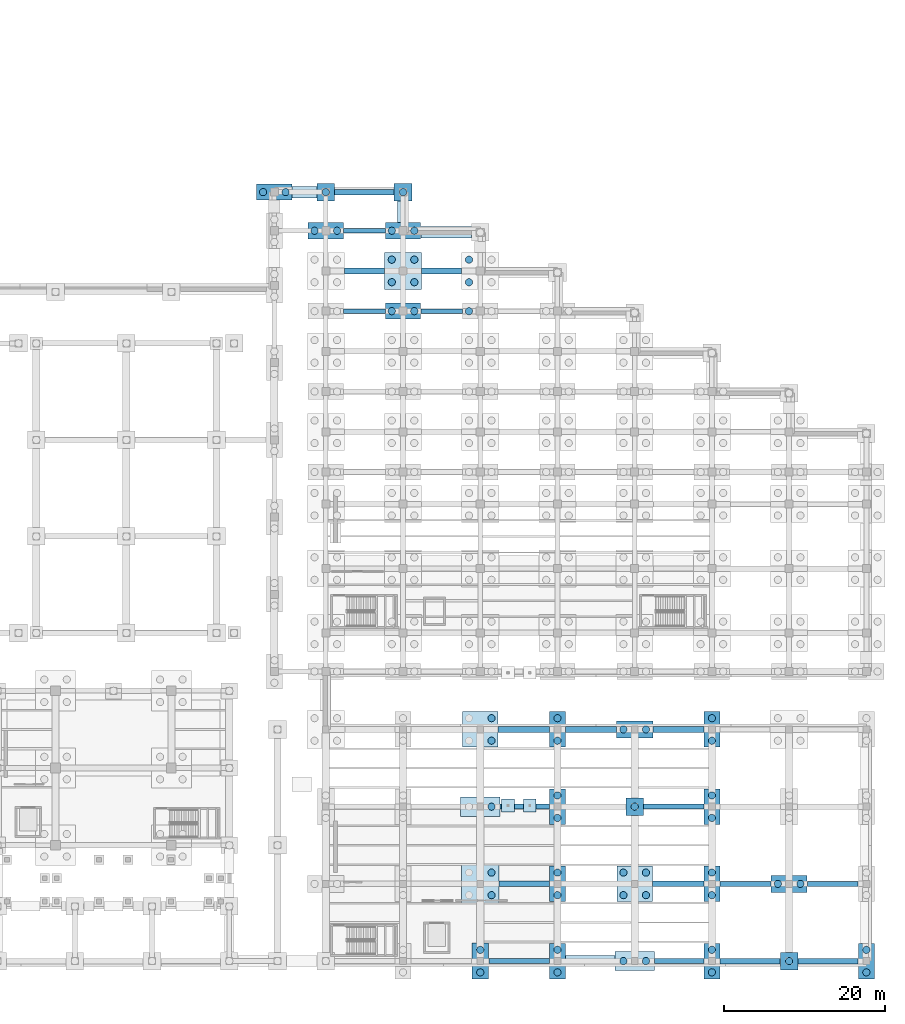
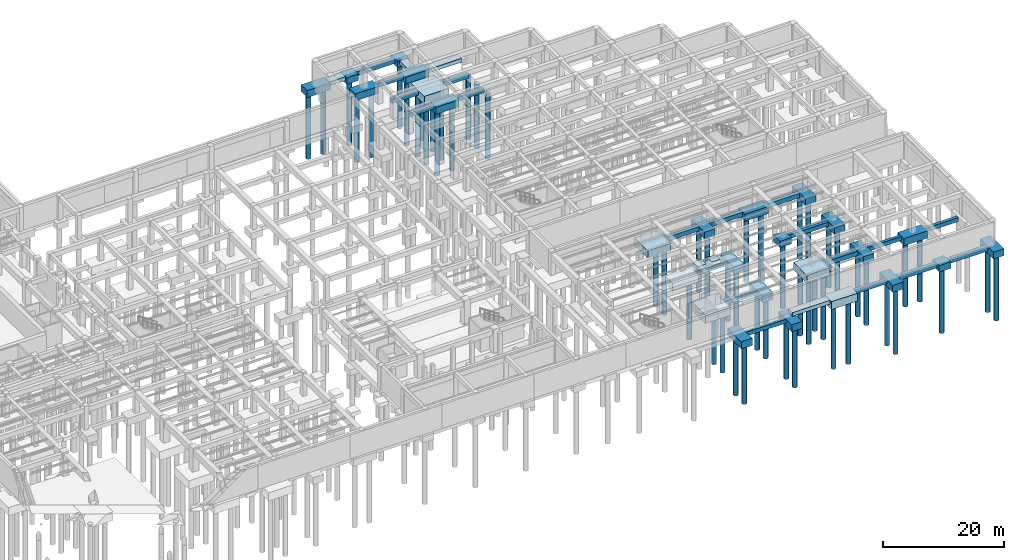
# One storey, part 8 of 56: 54 piles, 51 footings.
"""IFC4 building model written with IfcOpenShell, lengths in metres."""

from ifc_helpers import new_model, si_unit, direction, frame, origin, origin_2d, place, context, subcontext, project, spatial, rectangle, circle, extrude, material, material_profile, profile_set, type_object, element, save


model = new_model("IFC4")

# Units and contexts
model_context = context("Model", 3, precision=1e-05, world=origin(), true_north=direction((0.0, 1.0)))
body_context = subcontext(model_context, "Body", "Model", "MODEL_VIEW")
ifc_project = project(units=[si_unit("LENGTHUNIT", "METRE"), si_unit("AREAUNIT", "SQUARE_METRE"), si_unit("VOLUMEUNIT", "CUBIC_METRE"), si_unit("PLANEANGLEUNIT", "RADIAN"), si_unit("MASSUNIT", "GRAM", prefix="KILO")], contexts=[model_context])

# Site, building, storey
site_placement = place(None, origin())
site = spatial("IfcSite", under=ifc_project, at=site_placement, CompositionType="ELEMENT")
building_placement = place(site_placement, origin())
building = spatial("IfcBuilding", under=site, at=building_placement, Name="Mavantir Sound Aquarium", CompositionType="ELEMENT")
storey_placement = place(building_placement, frame((0.0, 0.0, -9.60009765625)))
storey = spatial("IfcBuildingStorey", under=building, at=storey_placement, Name="B2", CompositionType="ELEMENT", Elevation=-9.60009765625)

# Footings
ifc_material_1 = material(Name="Concrete C40/50", Category="concrete")
ifc_material_profile_1 = material_profile(ifc_material_1, rectangle(XDim=0.60009765625, YDim=0.800048828125, at=origin_2d()), Name="RC 600X800")
ifc_profile_set_1 = profile_set([ifc_material_profile_1], Name="Concrete C40/50")
footing_type_1 = type_object("IfcFootingType", Name="FB-01", PredefinedType="FOOTING_BEAM", material=ifc_profile_set_1)
for number, where, z_axis, x_axis, name in (
    (1, (110.2080078125, 80.800048828125, -0.39990234375), (1.0, 0.0, 0.0), (0.0, 1.0, 0.0), "Foundation tie beam FB-01 93"),
    (2, (110.2080078125, 90.800048828125, -0.39990234375), (1.0, 0.0, 0.0), (0.0, 1.0, 0.0), "Foundation tie beam FB-01 95"),
):
    element("IfcFooting", number, at=place(storey_placement, frame(where, z_axis=z_axis, x_axis=x_axis)), inside=storey, type_object=footing_type_1, Name=name, PredefinedType="FOOTING_BEAM", context=body_context, shape_type="SweptSolid", body=[
        extrude(rectangle(XDim=0.60009765625, YDim=0.800048828125, at=origin_2d()), origin(), (0.0, 0.0, 1.0), 5.18408203125),
    ])
footing_1_placement = place(storey_placement, frame((119.80810546875, 80.800048828125, -0.39990234375), z_axis=(1.0, 0.0, 0.0), x_axis=(0.0, 1.0, 0.0)))
element("IfcFooting", 3, at=footing_1_placement, inside=storey, type_object=footing_type_1, Name="Foundation tie beam FB-01 109", PredefinedType="FOOTING_BEAM", context=body_context, shape_type="SweptSolid", body=[
    extrude(rectangle(XDim=0.60009765625, YDim=0.800048828125, at=origin_2d()), origin(), (0.0, 0.0, 1.0), 5.183837890625),
])
footing_2_placement = place(storey_placement, frame((128.258056640625, 0.0, -1.599853515625), z_axis=(1.0, 0.0, 0.0), x_axis=(0.0, 1.0, 0.0)))
element("IfcFooting", 4, at=footing_2_placement, inside=storey, type_object=footing_type_1, Name="Foundation tie beam FB-01 111", PredefinedType="FOOTING_BEAM", context=body_context, shape_type="SweptSolid", body=[
    extrude(rectangle(XDim=0.60009765625, YDim=0.800048828125, at=origin_2d()), origin(), (0.0, 0.0, 1.0), 7.533935546875),
])
for number, where, z_axis, x_axis, name in (
    (5, (129.657958984375, 19.199951171875, -1.599853515625), (1.0, 0.0, 0.0), (0.0, 1.0, 0.0), "Foundation tie beam FB-01 113"),
    (6, (148.85791015625, 0.0, -0.39990234375), (1.0, 0.0, 0.0), (0.0, 1.0, 0.0), "Foundation tie beam FB-01 133"),
):
    element("IfcFooting", number, at=place(storey_placement, frame(where, z_axis=z_axis, x_axis=x_axis)), inside=storey, type_object=footing_type_1, Name=name, PredefinedType="FOOTING_BEAM", context=body_context, shape_type="SweptSolid", body=[
        extrude(rectangle(XDim=0.60009765625, YDim=0.800048828125, at=origin_2d()), origin(), (0.0, 0.0, 1.0), 6.134033203125),
    ])
footing_3_placement = place(storey_placement, frame((147.508056640625, 19.199951171875, -0.39990234375), z_axis=(1.0, 0.0, 0.0), x_axis=(0.0, 1.0, 0.0)))
element("IfcFooting", 7, at=footing_3_placement, inside=storey, type_object=footing_type_1, Name="Foundation tie beam FB-01 135", PredefinedType="FOOTING_BEAM", context=body_context, shape_type="SweptSolid", body=[
    extrude(rectangle(XDim=0.60009765625, YDim=0.800048828125, at=origin_2d()), origin(), (0.0, 0.0, 1.0), 7.48388671875),
])
for number, where, z_axis, x_axis, name in (
    (8, (157.008056640625, 9.60009765625, -0.39990234375), (1.0, 0.0, 0.0), (0.0, 1.0, 0.0), "Foundation tie beam FB-01 145"),
    (9, (167.85791015625, 9.60009765625, -0.39990234375), (1.0, 0.0, 0.0), (0.0, 1.0, 0.0), "Foundation tie beam FB-01 153"),
):
    element("IfcFooting", number, at=place(storey_placement, frame(where, z_axis=z_axis, x_axis=x_axis)), inside=storey, type_object=footing_type_1, Name=name, PredefinedType="FOOTING_BEAM", context=body_context, shape_type="SweptSolid", body=[
        extrude(rectangle(XDim=0.60009765625, YDim=0.800048828125, at=origin_2d()), origin(), (0.0, 0.0, 1.0), 6.333984375),
    ])
ifc_material_profile_2 = material_profile(ifc_material_1, rectangle(XDim=0.699951171875, YDim=0.89990234375, at=origin_2d()), Name="RC 700X900")
ifc_profile_set_2 = profile_set([ifc_material_profile_2], Name="Concrete C40/50")
footing_type_2 = type_object("IfcFootingType", Name="FB-02", PredefinedType="FOOTING_BEAM", material=ifc_profile_set_2)
footing_4_placement = place(storey_placement, frame((110.30810546875, 85.800048828125, -0.449951171875), z_axis=(1.0, 0.0, 0.0), x_axis=(0.0, 1.0, 0.0)))
element("IfcFooting", 10, at=footing_4_placement, inside=storey, type_object=footing_type_2, Name="Foundation tie beam FB-02 94", PredefinedType="FOOTING_BEAM", context=body_context, shape_type="SweptSolid", body=[
    extrude(rectangle(XDim=0.699951171875, YDim=0.89990234375, at=origin_2d()), origin(), (0.0, 0.0, 1.0), 4.98388671875),
])
footing_5_placement = place(storey_placement, frame((109.10791015625, 95.60009765625, -0.449951171875), z_axis=(1.0, 0.0, 0.0), x_axis=(0.0, 1.0, 0.0)))
element("IfcFooting", 11, at=footing_5_placement, inside=storey, type_object=footing_type_2, Name="Foundation tie beam FB-02 96", PredefinedType="FOOTING_BEAM", context=body_context, shape_type="SweptSolid", body=[
    extrude(rectangle(XDim=0.699951171875, YDim=0.89990234375, at=origin_2d()), origin(), (0.0, 0.0, 1.0), 7.384033203125),
])
footing_6_placement = place(storey_placement, frame((119.89990234375, 85.800048828125, -0.449951171875), z_axis=(1.0, 0.0, 0.0), x_axis=(0.0, 1.0, 0.0)))
element("IfcFooting", 12, at=footing_6_placement, inside=storey, type_object=footing_type_2, Name="Foundation tie beam FB-02 110", PredefinedType="FOOTING_BEAM", context=body_context, shape_type="SweptSolid", body=[
    extrude(rectangle(XDim=0.699951171875, YDim=0.89990234375, at=origin_2d()), origin(), (0.0, 0.0, 1.0), 4.9921875),
])
footing_7_placement = place(storey_placement, frame((129.55810546875, 9.60009765625, -1.64990234375), z_axis=(1.0, 0.0, 0.0), x_axis=(0.0, 1.0, 0.0)))
element("IfcFooting", 13, at=footing_7_placement, inside=storey, type_object=footing_type_2, Name="Foundation tie beam FB-02 112", PredefinedType="FOOTING_BEAM", context=body_context, shape_type="SweptSolid", body=[
    extrude(rectangle(XDim=0.699951171875, YDim=0.89990234375, at=origin_2d()), origin(), (0.0, 0.0, 1.0), 6.23388671875),
])
footing_8_placement = place(storey_placement, frame((129.407958984375, 28.800048828125, -0.449951171875), z_axis=(1.0, 0.0, 0.0), x_axis=(0.0, 1.0, 0.0)))
element("IfcFooting", 14, at=footing_8_placement, inside=storey, type_object=footing_type_2, Name="Foundation tie beam FB-02 114", PredefinedType="FOOTING_BEAM", context=body_context, shape_type="SweptSolid", body=[
    extrude(rectangle(XDim=0.699951171875, YDim=0.89990234375, at=origin_2d()), origin(), (0.0, 0.0, 1.0), 6.384033203125),
])
footing_9_placement = place(storey_placement, frame((137.80810546875, 28.800048828125, -0.449951171875), z_axis=(1.0, 0.0, 0.0), x_axis=(0.0, 1.0, 0.0)))
element("IfcFooting", 15, at=footing_9_placement, inside=storey, type_object=footing_type_2, Name="Foundation tie beam FB-02 124", PredefinedType="FOOTING_BEAM", context=body_context, shape_type="SweptSolid", body=[
    extrude(rectangle(XDim=0.699951171875, YDim=0.89990234375, at=origin_2d()), origin(), (0.0, 0.0, 1.0), 6.333984375),
])
footing_10_placement = place(storey_placement, frame((148.60791015625, 9.60009765625, -0.449951171875), z_axis=(1.0, 0.0, 0.0), x_axis=(0.0, 1.0, 0.0)))
element("IfcFooting", 16, at=footing_10_placement, inside=storey, type_object=footing_type_2, Name="Foundation tie beam FB-02 134", PredefinedType="FOOTING_BEAM", context=body_context, shape_type="SweptSolid", body=[
    extrude(rectangle(XDim=0.699951171875, YDim=0.89990234375, at=origin_2d()), origin(), (0.0, 0.0, 1.0), 6.384033203125),
])
footing_11_placement = place(storey_placement, frame((148.657958984375, 28.800048828125, -0.449951171875), z_axis=(1.0, 0.0, 0.0), x_axis=(0.0, 1.0, 0.0)))
element("IfcFooting", 17, at=footing_11_placement, inside=storey, type_object=footing_type_2, Name="Foundation tie beam FB-02 136", PredefinedType="FOOTING_BEAM", context=body_context, shape_type="SweptSolid", body=[
    extrude(rectangle(XDim=0.699951171875, YDim=0.89990234375, at=origin_2d()), origin(), (0.0, 0.0, 1.0), 6.333984375),
])
for number, where, z_axis, x_axis, name in (
    (18, (157.008056640625, 0.0, -0.449951171875), (1.0, 0.0, 0.0), (0.0, 1.0, 0.0), "Foundation tie beam FB-02 144"),
    (19, (166.7080078125, 0.0, -0.449951171875), (1.0, 0.0, 0.0), (0.0, 1.0, 0.0), "Foundation tie beam FB-02 152"),
):
    element("IfcFooting", number, at=place(storey_placement, frame(where, z_axis=z_axis, x_axis=x_axis)), inside=storey, type_object=footing_type_2, Name=name, PredefinedType="FOOTING_BEAM", context=body_context, shape_type="SweptSolid", body=[
        extrude(rectangle(XDim=0.699951171875, YDim=0.89990234375, at=origin_2d()), origin(), (0.0, 0.0, 1.0), 7.48388671875),
    ])
footing_type_3 = type_object("IfcFootingType", Name="PC-01", PredefinedType="PILE_CAP", material=ifc_material_1)
footing_12_placement = place(storey_placement, frame((117.60009765625, 85.800048828125, -1.599853515625), z_axis=(0.0, 0.0, 1.0), x_axis=(1.0, 0.0, 0.0)))
element("IfcFooting", 20, at=footing_12_placement, inside=storey, type_object=footing_type_3, Name="Pile cap PC-01 79", PredefinedType="PILE_CAP", context=body_context, shape_type="SweptSolid", body=[
    extrude(rectangle(XDim=4.60009765625, YDim=4.60009765625, at=origin_2d()), origin(), (0.0, 0.0, 1.0), 1.60009765625),
])
footing_type_4 = type_object("IfcFootingType", Name="PC-02", PredefinedType="PILE_CAP", material=ifc_material_1)
for number, where, z_axis, x_axis, name in (
    (21, (127.199951171875, 28.800048828125, -1.5), (0.0, 0.0, 1.0), (1.0, 0.0, 0.0), "Pile cap PC-02 169"),
    (22, (146.39990234375, 9.60009765625, -1.5), (0.0, 0.0, 1.0), (1.0, 0.0, 0.0), "Pile cap PC-02 175"),
):
    element("IfcFooting", number, at=place(storey_placement, frame(where, z_axis=z_axis, x_axis=x_axis)), inside=storey, type_object=footing_type_4, Name=name, PredefinedType="PILE_CAP", context=body_context, shape_type="SweptSolid", body=[
        extrude(rectangle(XDim=4.39990234375, YDim=4.39990234375, at=origin_2d()), origin(), (0.0, 0.0, 1.0), 1.5),
    ])
footing_type_5 = type_object("IfcFootingType", Name="PC-03", PredefinedType="PILE_CAP", material=ifc_material_1)
for number, where, z_axis, x_axis, name in (
    (23, (101.60009765625, 95.60009765625, -1.39990234375), (0.0, 0.0, 1.0), (1.0, 0.0, 0.0), "Pile cap PC-03 57"),
    (24, (108.0, 90.800048828125, -1.39990234375), (0.0, 0.0, 1.0), (1.0, 0.0, 0.0), "Pile cap PC-03 68"),
    (25, (117.60009765625, 80.800048828125, -1.39990234375), (0.0, 0.0, 1.0), (1.0, 0.0, 0.0), "Pile cap PC-03 78"),
    (26, (117.60009765625, 90.800048828125, -1.39990234375), (0.0, 0.0, 1.0), (1.0, 0.0, 0.0), "Pile cap PC-03 80"),
):
    element("IfcFooting", number, at=place(storey_placement, frame(where, z_axis=z_axis, x_axis=x_axis)), inside=storey, type_object=footing_type_5, Name=name, PredefinedType="PILE_CAP", context=body_context, shape_type="SweptSolid", body=[
        extrude(rectangle(XDim=4.39990234375, YDim=2.0, at=origin_2d()), origin(), (0.0, 0.0, 1.0), 1.39990234375),
    ])
footing_type_6 = type_object("IfcFootingType", Name="PC-04", PredefinedType="PILE_CAP", material=ifc_material_1)
for number, where, z_axis, x_axis, name in (
    (27, (136.800048828125, 0.0, -2.599853515625), (0.0, 0.0, 1.0), (1.0, 0.0, 0.0), "Pile cap PC-04 170"),
    (28, (136.800048828125, 9.60009765625, -2.599853515625), (0.0, 0.0, 1.0), (1.0, 0.0, 0.0), "Pile cap PC-04 171"),
    (29, (136.800048828125, 19.199951171875, -2.599853515625), (0.0, 0.0, 1.0), (1.0, 0.0, 0.0), "Pile cap PC-04 172"),
    (30, (136.800048828125, 28.800048828125, -1.39990234375), (0.0, 0.0, 1.0), (1.0, 0.0, 0.0), "Pile cap PC-04 173"),
    (31, (156.0, 0.0, -1.39990234375), (0.0, 0.0, 1.0), (1.0, 0.0, 0.0), "Pile cap PC-04 178"),
    (32, (156.0, 9.60009765625, -1.39990234375), (0.0, 0.0, 1.0), (1.0, 0.0, 0.0), "Pile cap PC-04 179"),
    (33, (156.0, 19.199951171875, -1.39990234375), (0.0, 0.0, 1.0), (1.0, 0.0, 0.0), "Pile cap PC-04 180"),
    (34, (156.0, 28.800048828125, -1.39990234375), (0.0, 0.0, 1.0), (1.0, 0.0, 0.0), "Pile cap PC-04 181"),
    (35, (175.199951171875, 0.0, -1.39990234375), (0.0, 0.0, 1.0), (1.0, 0.0, 0.0), "Pile cap PC-04 186"),
):
    element("IfcFooting", number, at=place(storey_placement, frame(where, z_axis=z_axis, x_axis=x_axis)), inside=storey, type_object=footing_type_6, Name=name, PredefinedType="PILE_CAP", context=body_context, shape_type="SweptSolid", body=[
        extrude(rectangle(XDim=2.0, YDim=4.39990234375, at=origin_2d()), origin(), (0.0, 0.0, 1.0), 1.39990234375),
    ])
footing_type_7 = type_object("IfcFootingType", Name="PC-08", PredefinedType="PILE_CAP", material=ifc_material_1)
for number, where, z_axis, x_axis, name in (
    (36, (108.0, 95.60009765625, -1.2998046875), (0.0, 0.0, 1.0), (1.0, 0.0, 0.0), "Pile cap PC-08 69"),
    (37, (117.60009765625, 95.60009765625, -1.2998046875), (0.0, 0.0, 1.0), (1.0, 0.0, 0.0), "Pile cap PC-08 81"),
    (38, (146.39990234375, 19.199951171875, -1.2998046875), (0.0, 0.0, 1.0), (1.0, 0.0, 0.0), "Pile cap PC-08 176"),
    (39, (165.60009765625, 0.0, -1.2998046875), (0.0, 0.0, 1.0), (1.0, 0.0, 0.0), "Pile cap PC-08 182"),
):
    element("IfcFooting", number, at=place(storey_placement, frame(where, z_axis=z_axis, x_axis=x_axis)), inside=storey, type_object=footing_type_7, Name=name, PredefinedType="PILE_CAP", context=body_context, shape_type="SweptSolid", body=[
        extrude(rectangle(XDim=2.199951171875, YDim=2.199951171875, at=origin_2d()), origin(), (0.0, 0.0, 1.0), 1.300048828125),
    ])
footing_type_8 = type_object("IfcFootingType", Name="PC-09", PredefinedType="PILE_CAP", material=ifc_material_1)
for number, where, z_axis, x_axis, name in (
    (40, (146.39990234375, 28.800048828125, -1.44970703125), (0.0, 0.0, 1.0), (1.0, 0.0, 0.0), "Pile cap PC-09 177"),
    (41, (165.60009765625, 9.60009765625, -1.44970703125), (0.0, 0.0, 1.0), (1.0, 0.0, 0.0), "Pile cap PC-09 183"),
):
    element("IfcFooting", number, at=place(storey_placement, frame(where, z_axis=z_axis, x_axis=x_axis)), inside=storey, type_object=footing_type_8, Name=name, PredefinedType="PILE_CAP", context=body_context, shape_type="SweptSolid", body=[
        extrude(rectangle(XDim=4.5, YDim=2.10009765625, at=origin_2d()), origin(), (0.0, 0.0, 1.0), 1.449951171875),
    ])
footing_type_9 = type_object("IfcFootingType", Name="PC-10", PredefinedType="PILE_CAP", material=ifc_material_1)
footing_13_placement = place(storey_placement, frame((127.199951171875, 0.0, -2.64990234375), z_axis=(0.0, 0.0, 1.0), x_axis=(1.0, 0.0, 0.0)))
element("IfcFooting", 42, at=footing_13_placement, inside=storey, type_object=footing_type_9, Name="Pile cap PC-10 166", PredefinedType="PILE_CAP", context=body_context, shape_type="SweptSolid", body=[
    extrude(rectangle(XDim=2.10009765625, YDim=4.5, at=origin_2d()), origin(), (0.0, 0.0, 1.0), 1.449951171875),
])
footing_type_10 = type_object("IfcFootingType", Name="PC-11", PredefinedType="PILE_CAP", material=ifc_material_1)
footing_14_placement = place(storey_placement, frame((127.199951171875, 9.60009765625, -2.849853515625), z_axis=(0.0, 0.0, 1.0), x_axis=(1.0, 0.0, 0.0)))
element("IfcFooting", 43, at=footing_14_placement, inside=storey, type_object=footing_type_10, Name="Pile cap PC-11 167", PredefinedType="PILE_CAP", context=body_context, shape_type="SweptSolid", body=[
    extrude(rectangle(XDim=4.699951171875, YDim=4.699951171875, at=origin_2d()), origin(), (0.0, 0.0, 1.0), 1.64990234375),
])
ifc_material_2 = material(Name="Concrete C45/55", Category="concrete")
footing_type_11 = type_object("IfcFootingType", Name="PC-12", PredefinedType="PILE_CAP", material=ifc_material_2)
for number, where, z_axis, x_axis, name in (
    (44, (127.199951171875, 19.199951171875, -2.800048828125), (0.0, 0.0, 1.0), (1.0, 0.0, 0.0), "Pile cap PC-12 168"),
    (45, (146.39990234375, 0.0, -1.599853515625), (0.0, 0.0, 1.0), (1.0, 0.0, 0.0), "Pile cap PC-12 174"),
):
    element("IfcFooting", number, at=place(storey_placement, frame(where, z_axis=z_axis, x_axis=x_axis)), inside=storey, type_object=footing_type_11, Name=name, PredefinedType="PILE_CAP", context=body_context, shape_type="SweptSolid", body=[
        extrude(rectangle(XDim=4.89990234375, YDim=2.39990234375, at=origin_2d()), origin(), (0.0, 0.0, 1.0), 1.60009765625),
    ])
footing_type_12 = type_object("IfcFootingType", Name="PF-04", PredefinedType="PAD_FOOTING", material=ifc_material_1)
for number, where, z_axis, x_axis, name in (
    (46, (130.64990234375, 19.35009765625, -0.69970703125), (0.0, 0.0, 1.0), (1.0, 0.0, 0.0), "Bridge pier footing 4.1"),
    (47, (133.35009765625, 19.35009765625, -0.69970703125), (0.0, 0.0, 1.0), (1.0, 0.0, 0.0), "Bridge pier footing 4.3"),
):
    element("IfcFooting", number, at=place(storey_placement, frame(where, z_axis=z_axis, x_axis=x_axis)), inside=storey, type_object=footing_type_12, Name=name, PredefinedType="PAD_FOOTING", context=body_context, shape_type="SweptSolid", body=[
        extrude(rectangle(XDim=1.60009765625, YDim=1.60009765625, at=origin_2d()), origin(), (0.0, 0.0, 1.0), 0.699951171875),
    ])

# Piles
ifc_material_profile_3 = material_profile(ifc_material_1, circle(Radius=0.449951171875, at=origin_2d()), Name="PILE D900")
ifc_profile_set_3 = profile_set([ifc_material_profile_3], Name="Concrete C40/50")
pile_type = type_object("IfcPileType", Name="PILE-D900", PredefinedType="BORED", material=ifc_profile_set_3)
for number, where, z_axis, x_axis, name in (
    (48, (100.199951171875, 95.60009765625, -1.2998046875), (0.0, 0.0, -1.0), (1.0, 0.0, 0.0), "Bored pile P-900 223"),
    (49, (103.0, 95.60009765625, -1.2998046875), (0.0, 0.0, -1.0), (1.0, 0.0, 0.0), "Bored pile P-900 224"),
    (50, (106.60009765625, 90.800048828125, -1.2998046875), (0.0, 0.0, -1.0), (1.0, 0.0, 0.0), "Bored pile P-900 257"),
    (51, (109.39990234375, 90.800048828125, -1.2998046875), (0.0, 0.0, -1.0), (1.0, 0.0, 0.0), "Bored pile P-900 258"),
):
    element("IfcPile", number, at=place(storey_placement, frame(where, z_axis=z_axis, x_axis=x_axis)), inside=storey, type_object=pile_type, Name=name, PredefinedType="BORED", context=body_context, shape_type="SweptSolid", body=[
        extrude(circle(Radius=0.449951171875, at=origin_2d()), origin(), (0.0, 0.0, 1.0), 13.10009765625),
    ])
pile_1_placement = place(storey_placement, frame((108.0, 95.60009765625, -1.199951171875), z_axis=(0.0, 0.0, -1.0), x_axis=(1.0, 0.0, 0.0)))
element("IfcPile", 52, at=pile_1_placement, inside=storey, type_object=pile_type, Name="Bored pile P-900 259", PredefinedType="BORED", context=body_context, shape_type="SweptSolid", body=[
    extrude(circle(Radius=0.449951171875, at=origin_2d()), origin(), (0.0, 0.0, 1.0), 13.199951171875),
])
for number, where, z_axis, x_axis, name in (
    (53, (116.199951171875, 80.800048828125, -1.2998046875), (0.0, 0.0, -1.0), (1.0, 0.0, 0.0), "Bored pile P-900 286"),
    (54, (119.0, 80.800048828125, -1.2998046875), (0.0, 0.0, -1.0), (1.0, 0.0, 0.0), "Bored pile P-900 287"),
):
    element("IfcPile", number, at=place(storey_placement, frame(where, z_axis=z_axis, x_axis=x_axis)), inside=storey, type_object=pile_type, Name=name, PredefinedType="BORED", context=body_context, shape_type="SweptSolid", body=[
        extrude(circle(Radius=0.449951171875, at=origin_2d()), origin(), (0.0, 0.0, 1.0), 13.10009765625),
    ])
for number, where, z_axis, x_axis, name in (
    (55, (116.199951171875, 84.39990234375, -1.5), (0.0, 0.0, -1.0), (1.0, 0.0, 0.0), "Bored pile P-900 288"),
    (56, (119.0, 84.39990234375, -1.5), (0.0, 0.0, -1.0), (1.0, 0.0, 0.0), "Bored pile P-900 289"),
    (57, (116.199951171875, 87.199951171875, -1.5), (0.0, 0.0, -1.0), (1.0, 0.0, 0.0), "Bored pile P-900 290"),
    (58, (119.0, 87.199951171875, -1.5), (0.0, 0.0, -1.0), (1.0, 0.0, 0.0), "Bored pile P-900 291"),
):
    element("IfcPile", number, at=place(storey_placement, frame(where, z_axis=z_axis, x_axis=x_axis)), inside=storey, type_object=pile_type, Name=name, PredefinedType="BORED", context=body_context, shape_type="SweptSolid", body=[
        extrude(circle(Radius=0.449951171875, at=origin_2d()), origin(), (0.0, 0.0, 1.0), 12.89990234375),
    ])
for number, where, z_axis, x_axis, name in (
    (59, (116.199951171875, 90.800048828125, -1.2998046875), (0.0, 0.0, -1.0), (1.0, 0.0, 0.0), "Bored pile P-900 292"),
    (60, (119.0, 90.800048828125, -1.2998046875), (0.0, 0.0, -1.0), (1.0, 0.0, 0.0), "Bored pile P-900 293"),
):
    element("IfcPile", number, at=place(storey_placement, frame(where, z_axis=z_axis, x_axis=x_axis)), inside=storey, type_object=pile_type, Name=name, PredefinedType="BORED", context=body_context, shape_type="SweptSolid", body=[
        extrude(circle(Radius=0.449951171875, at=origin_2d()), origin(), (0.0, 0.0, 1.0), 13.10009765625),
    ])
pile_2_placement = place(storey_placement, frame((117.60009765625, 95.60009765625, -1.199951171875), z_axis=(0.0, 0.0, -1.0), x_axis=(1.0, 0.0, 0.0)))
element("IfcPile", 61, at=pile_2_placement, inside=storey, type_object=pile_type, Name="Bored pile P-900 294", PredefinedType="BORED", context=body_context, shape_type="SweptSolid", body=[
    extrude(circle(Radius=0.449951171875, at=origin_2d()), origin(), (0.0, 0.0, 1.0), 13.199951171875),
])
pile_3_placement = place(storey_placement, frame((125.800048828125, 80.800048828125, -1.2998046875), z_axis=(0.0, 0.0, -1.0), x_axis=(1.0, 0.0, 0.0)))
element("IfcPile", 62, at=pile_3_placement, inside=storey, type_object=pile_type, Name="Bored pile P-900 321", PredefinedType="BORED", context=body_context, shape_type="SweptSolid", body=[
    extrude(circle(Radius=0.449951171875, at=origin_2d()), origin(), (0.0, 0.0, 1.0), 13.10009765625),
])
for number, where, z_axis, x_axis, name in (
    (63, (125.800048828125, 84.39990234375, -1.5), (0.0, 0.0, -1.0), (1.0, 0.0, 0.0), "Bored pile P-900 323"),
    (64, (125.800048828125, 87.199951171875, -1.5), (0.0, 0.0, -1.0), (1.0, 0.0, 0.0), "Bored pile P-900 325"),
):
    element("IfcPile", number, at=place(storey_placement, frame(where, z_axis=z_axis, x_axis=x_axis)), inside=storey, type_object=pile_type, Name=name, PredefinedType="BORED", context=body_context, shape_type="SweptSolid", body=[
        extrude(circle(Radius=0.449951171875, at=origin_2d()), origin(), (0.0, 0.0, 1.0), 12.89990234375),
    ])
for number, where, z_axis, x_axis, name in (
    (65, (127.199951171875, -1.39990234375, -2.5498046875), (0.0, 0.0, -1.0), (1.0, 0.0, 0.0), "Bored pile P-900 542"),
    (66, (127.199951171875, 1.39990234375, -2.5498046875), (0.0, 0.0, -1.0), (1.0, 0.0, 0.0), "Bored pile P-900 543"),
):
    element("IfcPile", number, at=place(storey_placement, frame(where, z_axis=z_axis, x_axis=x_axis)), inside=storey, type_object=pile_type, Name=name, PredefinedType="BORED", context=body_context, shape_type="SweptSolid", body=[
        extrude(circle(Radius=0.449951171875, at=origin_2d()), origin(), (0.0, 0.0, 1.0), 11.85009765625),
    ])
for number, where, z_axis, x_axis, name in (
    (67, (128.60009765625, 8.199951171875, -2.75), (0.0, 0.0, -1.0), (1.0, 0.0, 0.0), "Bored pile P-900 545"),
    (68, (128.60009765625, 11.0, -2.75), (0.0, 0.0, -1.0), (1.0, 0.0, 0.0), "Bored pile P-900 547"),
):
    element("IfcPile", number, at=place(storey_placement, frame(where, z_axis=z_axis, x_axis=x_axis)), inside=storey, type_object=pile_type, Name=name, PredefinedType="BORED", context=body_context, shape_type="SweptSolid", body=[
        extrude(circle(Radius=0.449951171875, at=origin_2d()), origin(), (0.0, 0.0, 1.0), 11.64990234375),
    ])
pile_4_placement = place(storey_placement, frame((128.60009765625, 19.199951171875, -2.699951171875), z_axis=(0.0, 0.0, -1.0), x_axis=(1.0, 0.0, 0.0)))
element("IfcPile", 69, at=pile_4_placement, inside=storey, type_object=pile_type, Name="Bored pile P-900 549", PredefinedType="BORED", context=body_context, shape_type="SweptSolid", body=[
    extrude(circle(Radius=0.449951171875, at=origin_2d()), origin(), (0.0, 0.0, 1.0), 11.699951171875),
])
for number, where, z_axis, x_axis, name in (
    (70, (128.60009765625, 27.39990234375, -1.39990234375), (0.0, 0.0, -1.0), (1.0, 0.0, 0.0), "Bored pile P-900 551"),
    (71, (128.60009765625, 30.199951171875, -1.39990234375), (0.0, 0.0, -1.0), (1.0, 0.0, 0.0), "Bored pile P-900 553"),
):
    element("IfcPile", number, at=place(storey_placement, frame(where, z_axis=z_axis, x_axis=x_axis)), inside=storey, type_object=pile_type, Name=name, PredefinedType="BORED", context=body_context, shape_type="SweptSolid", body=[
        extrude(circle(Radius=0.449951171875, at=origin_2d()), origin(), (0.0, 0.0, 1.0), 13.0),
    ])
for number, where, z_axis, x_axis, name in (
    (72, (136.800048828125, -1.39990234375, -2.5), (0.0, 0.0, -1.0), (1.0, 0.0, 0.0), "Bored pile P-900 554"),
    (73, (136.800048828125, 1.39990234375, -2.5), (0.0, 0.0, -1.0), (1.0, 0.0, 0.0), "Bored pile P-900 555"),
    (74, (136.800048828125, 8.199951171875, -2.5), (0.0, 0.0, -1.0), (1.0, 0.0, 0.0), "Bored pile P-900 556"),
    (75, (136.800048828125, 11.0, -2.5), (0.0, 0.0, -1.0), (1.0, 0.0, 0.0), "Bored pile P-900 557"),
    (76, (136.800048828125, 17.800048828125, -2.5), (0.0, 0.0, -1.0), (1.0, 0.0, 0.0), "Bored pile P-900 558"),
    (77, (136.800048828125, 20.60009765625, -2.5), (0.0, 0.0, -1.0), (1.0, 0.0, 0.0), "Bored pile P-900 559"),
):
    element("IfcPile", number, at=place(storey_placement, frame(where, z_axis=z_axis, x_axis=x_axis)), inside=storey, type_object=pile_type, Name=name, PredefinedType="BORED", context=body_context, shape_type="SweptSolid", body=[
        extrude(circle(Radius=0.449951171875, at=origin_2d()), origin(), (0.0, 0.0, 1.0), 11.89990234375),
    ])
for number, where, z_axis, x_axis, name in (
    (78, (136.800048828125, 27.39990234375, -1.2998046875), (0.0, 0.0, -1.0), (1.0, 0.0, 0.0), "Bored pile P-900 560"),
    (79, (136.800048828125, 30.199951171875, -1.2998046875), (0.0, 0.0, -1.0), (1.0, 0.0, 0.0), "Bored pile P-900 561"),
):
    element("IfcPile", number, at=place(storey_placement, frame(where, z_axis=z_axis, x_axis=x_axis)), inside=storey, type_object=pile_type, Name=name, PredefinedType="BORED", context=body_context, shape_type="SweptSolid", body=[
        extrude(circle(Radius=0.449951171875, at=origin_2d()), origin(), (0.0, 0.0, 1.0), 13.10009765625),
    ])
for number, where, z_axis, x_axis, name in (
    (80, (145.0, 0.0, -1.5), (0.0, 0.0, -1.0), (1.0, 0.0, 0.0), "Bored pile P-900 562"),
    (81, (147.800048828125, 0.0, -1.5), (0.0, 0.0, -1.0), (1.0, 0.0, 0.0), "Bored pile P-900 563"),
):
    element("IfcPile", number, at=place(storey_placement, frame(where, z_axis=z_axis, x_axis=x_axis)), inside=storey, type_object=pile_type, Name=name, PredefinedType="BORED", context=body_context, shape_type="SweptSolid", body=[
        extrude(circle(Radius=0.449951171875, at=origin_2d()), origin(), (0.0, 0.0, 1.0), 12.89990234375),
    ])
for number, where, z_axis, x_axis, name in (
    (82, (145.0, 8.199951171875, -1.39990234375), (0.0, 0.0, -1.0), (1.0, 0.0, 0.0), "Bored pile P-900 564"),
    (83, (147.800048828125, 8.199951171875, -1.39990234375), (0.0, 0.0, -1.0), (1.0, 0.0, 0.0), "Bored pile P-900 565"),
    (84, (145.0, 11.0, -1.39990234375), (0.0, 0.0, -1.0), (1.0, 0.0, 0.0), "Bored pile P-900 566"),
    (85, (147.800048828125, 11.0, -1.39990234375), (0.0, 0.0, -1.0), (1.0, 0.0, 0.0), "Bored pile P-900 567"),
):
    element("IfcPile", number, at=place(storey_placement, frame(where, z_axis=z_axis, x_axis=x_axis)), inside=storey, type_object=pile_type, Name=name, PredefinedType="BORED", context=body_context, shape_type="SweptSolid", body=[
        extrude(circle(Radius=0.449951171875, at=origin_2d()), origin(), (0.0, 0.0, 1.0), 13.0),
    ])
pile_5_placement = place(storey_placement, frame((146.39990234375, 19.199951171875, -1.199951171875), z_axis=(0.0, 0.0, -1.0), x_axis=(1.0, 0.0, 0.0)))
element("IfcPile", 86, at=pile_5_placement, inside=storey, type_object=pile_type, Name="Bored pile P-900 568", PredefinedType="BORED", context=body_context, shape_type="SweptSolid", body=[
    extrude(circle(Radius=0.449951171875, at=origin_2d()), origin(), (0.0, 0.0, 1.0), 13.199951171875),
])
for number, where, z_axis, x_axis, name in (
    (87, (145.0, 28.800048828125, -1.349853515625), (0.0, 0.0, -1.0), (1.0, 0.0, 0.0), "Bored pile P-900 569"),
    (88, (147.800048828125, 28.800048828125, -1.349853515625), (0.0, 0.0, -1.0), (1.0, 0.0, 0.0), "Bored pile P-900 570"),
):
    element("IfcPile", number, at=place(storey_placement, frame(where, z_axis=z_axis, x_axis=x_axis)), inside=storey, type_object=pile_type, Name=name, PredefinedType="BORED", context=body_context, shape_type="SweptSolid", body=[
        extrude(circle(Radius=0.449951171875, at=origin_2d()), origin(), (0.0, 0.0, 1.0), 13.050048828125),
    ])
for number, where, z_axis, x_axis, name in (
    (89, (156.0, -1.39990234375, -1.2998046875), (0.0, 0.0, -1.0), (1.0, 0.0, 0.0), "Bored pile P-900 571"),
    (90, (156.0, 1.39990234375, -1.2998046875), (0.0, 0.0, -1.0), (1.0, 0.0, 0.0), "Bored pile P-900 572"),
    (91, (156.0, 8.199951171875, -1.2998046875), (0.0, 0.0, -1.0), (1.0, 0.0, 0.0), "Bored pile P-900 573"),
    (92, (156.0, 11.0, -1.2998046875), (0.0, 0.0, -1.0), (1.0, 0.0, 0.0), "Bored pile P-900 574"),
    (93, (156.0, 17.800048828125, -1.2998046875), (0.0, 0.0, -1.0), (1.0, 0.0, 0.0), "Bored pile P-900 575"),
    (94, (156.0, 20.60009765625, -1.2998046875), (0.0, 0.0, -1.0), (1.0, 0.0, 0.0), "Bored pile P-900 576"),
    (95, (156.0, 27.39990234375, -1.2998046875), (0.0, 0.0, -1.0), (1.0, 0.0, 0.0), "Bored pile P-900 577"),
    (96, (156.0, 30.199951171875, -1.2998046875), (0.0, 0.0, -1.0), (1.0, 0.0, 0.0), "Bored pile P-900 578"),
):
    element("IfcPile", number, at=place(storey_placement, frame(where, z_axis=z_axis, x_axis=x_axis)), inside=storey, type_object=pile_type, Name=name, PredefinedType="BORED", context=body_context, shape_type="SweptSolid", body=[
        extrude(circle(Radius=0.449951171875, at=origin_2d()), origin(), (0.0, 0.0, 1.0), 13.10009765625),
    ])
pile_6_placement = place(storey_placement, frame((165.60009765625, 0.0, -1.199951171875), z_axis=(0.0, 0.0, -1.0), x_axis=(1.0, 0.0, 0.0)))
element("IfcPile", 97, at=pile_6_placement, inside=storey, type_object=pile_type, Name="Bored pile P-900 579", PredefinedType="BORED", context=body_context, shape_type="SweptSolid", body=[
    extrude(circle(Radius=0.449951171875, at=origin_2d()), origin(), (0.0, 0.0, 1.0), 13.199951171875),
])
for number, where, z_axis, x_axis, name in (
    (98, (164.199951171875, 9.60009765625, -1.349853515625), (0.0, 0.0, -1.0), (1.0, 0.0, 0.0), "Bored pile P-900 580"),
    (99, (167.0, 9.60009765625, -1.349853515625), (0.0, 0.0, -1.0), (1.0, 0.0, 0.0), "Bored pile P-900 581"),
):
    element("IfcPile", number, at=place(storey_placement, frame(where, z_axis=z_axis, x_axis=x_axis)), inside=storey, type_object=pile_type, Name=name, PredefinedType="BORED", context=body_context, shape_type="SweptSolid", body=[
        extrude(circle(Radius=0.449951171875, at=origin_2d()), origin(), (0.0, 0.0, 1.0), 13.050048828125),
    ])
for number, where, z_axis, x_axis, name in (
    (100, (175.199951171875, -1.39990234375, -1.2998046875), (0.0, 0.0, -1.0), (1.0, 0.0, 0.0), "Bored pile P-900 588"),
    (101, (175.199951171875, 1.39990234375, -1.2998046875), (0.0, 0.0, -1.0), (1.0, 0.0, 0.0), "Bored pile P-900 589"),
):
    element("IfcPile", number, at=place(storey_placement, frame(where, z_axis=z_axis, x_axis=x_axis)), inside=storey, type_object=pile_type, Name=name, PredefinedType="BORED", context=body_context, shape_type="SweptSolid", body=[
        extrude(circle(Radius=0.449951171875, at=origin_2d()), origin(), (0.0, 0.0, 1.0), 13.10009765625),
    ])

# Footings
ifc_material_profile_4 = material_profile(ifc_material_1, rectangle(XDim=1.39990234375, YDim=0.75, at=origin_2d()), Name="RC 1400X750")
ifc_profile_set_4 = profile_set([ifc_material_profile_4], Name="Concrete C40/50")
footing_type_13 = type_object("IfcFootingType", Name="SF-02", PredefinedType="STRIP_FOOTING", material=ifc_profile_set_4)
footing_15_placement = place(storey_placement, frame((103.80810546875, 95.60009765625, -0.375), z_axis=(1.0, 0.0, 0.0), x_axis=(0.0, 1.0, 0.0)))
element("IfcFooting", 102, at=footing_15_placement, inside=storey, type_object=footing_type_13, Name="Perimeter retaining wall strip footing 18", PredefinedType="STRIP_FOOTING", context=body_context, shape_type="SweptSolid", body=[
    extrude(rectangle(XDim=1.39990234375, YDim=0.75, at=origin_2d()), origin(), (0.0, 0.0, 1.0), 3.083984375),
])
footing_16_placement = place(storey_placement, frame((117.60009765625, 94.491943359375, -0.375), z_axis=(0.0, -1.0, 0.0), x_axis=(1.0, 0.0, 0.0)))
element("IfcFooting", 103, at=footing_16_placement, inside=storey, type_object=footing_type_13, Name="Perimeter retaining wall strip footing 19", PredefinedType="STRIP_FOOTING", context=body_context, shape_type="SweptSolid", body=[
    extrude(rectangle(XDim=1.39990234375, YDim=0.75, at=origin_2d()), origin(), (0.0, 0.0, 1.0), 2.683837890625),
])
footing_17_placement = place(storey_placement, frame((119.80810546875, 90.60009765625, -0.375), z_axis=(1.0, 0.0, 0.0), x_axis=(0.0, 1.0, 0.0)))
element("IfcFooting", 104, at=footing_17_placement, inside=storey, type_object=footing_type_13, Name="Perimeter retaining wall strip footing 20", PredefinedType="STRIP_FOOTING", context=body_context, shape_type="SweptSolid", body=[
    extrude(rectangle(XDim=1.39990234375, YDim=0.75, at=origin_2d()), origin(), (0.0, 0.0, 1.0), 6.283935546875),
])
footing_18_placement = place(storey_placement, frame((143.94189453125, 0.0, -0.375), z_axis=(-1.0, 0.0, 0.0), x_axis=(0.0, -1.0, 0.0)))
element("IfcFooting", 105, at=footing_18_placement, inside=storey, type_object=footing_type_13, Name="Perimeter retaining wall strip footing 40", PredefinedType="STRIP_FOOTING", context=body_context, shape_type="SweptSolid", body=[
    extrude(rectangle(XDim=1.39990234375, YDim=0.75, at=origin_2d()), origin(), (0.0, 0.0, 1.0), 7.141845703125),
])

save(model, "model.ifc")
